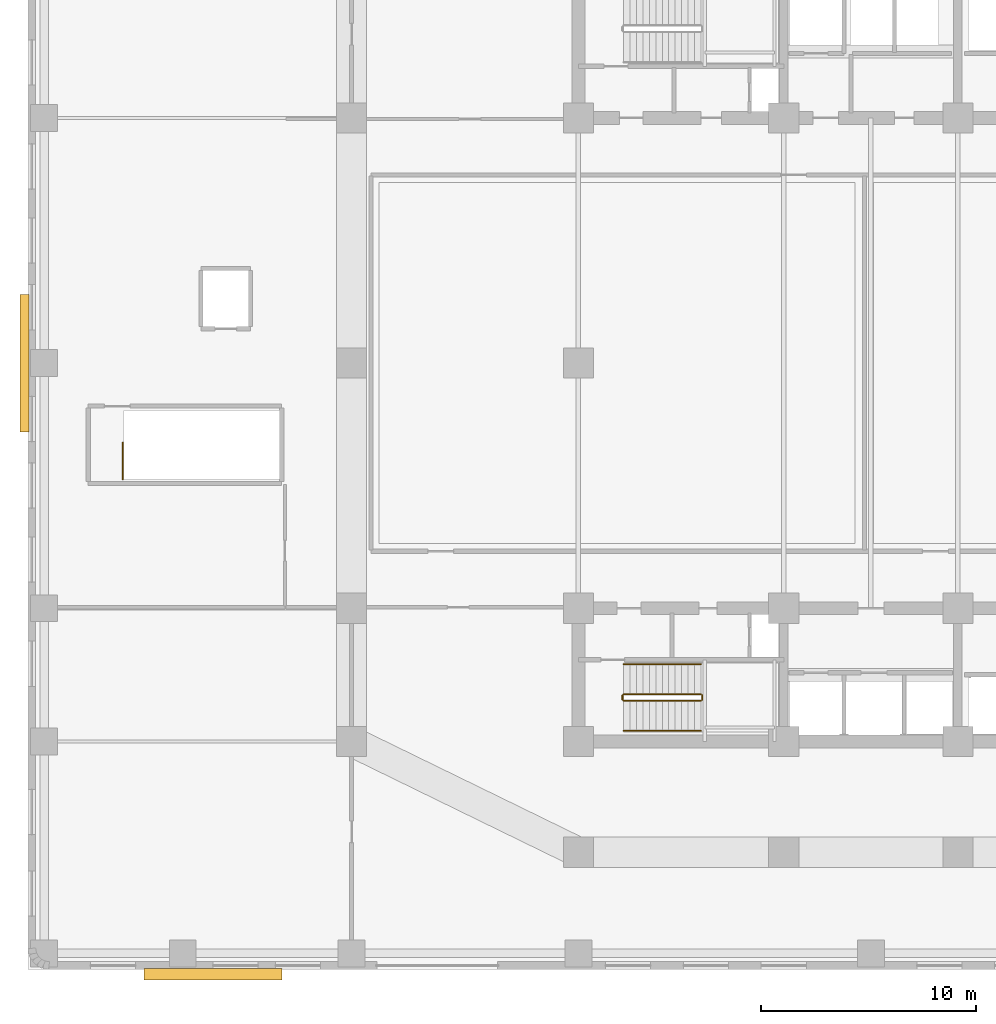
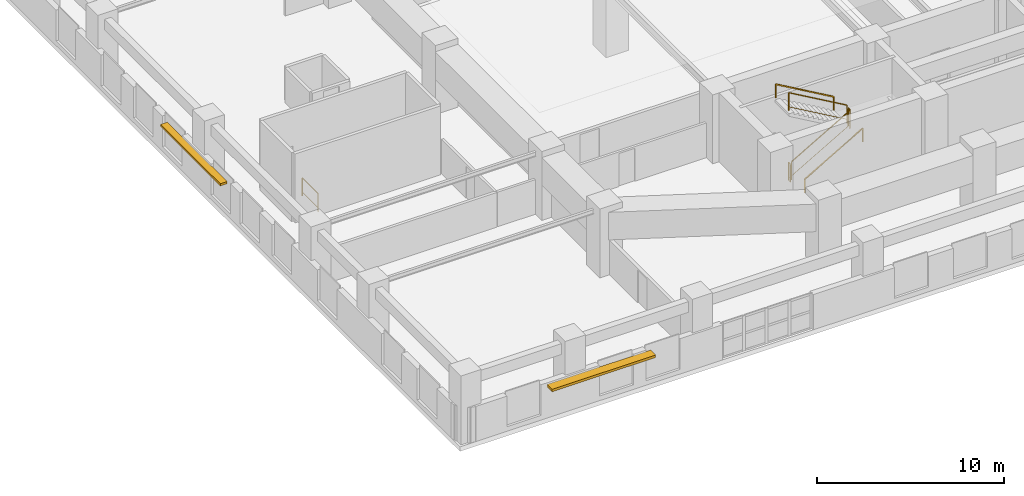
# One storey, part 11 of 13: 7 railings, 2 shading devices.
"""IFC4 building model written with IfcOpenShell, lengths in metres."""

from ifc_helpers import new_model, si_unit, direction, frame, origin, origin_2d, place, context, subcontext, project, spatial, rectangle, extrude, material, layer, layer_set, type_object, element, save


model = new_model("IFC4")

# Units and contexts
model_context = context("Model", 3, precision=1e-05, world=origin(), true_north=direction((0.0, 1.0)))
body_context = subcontext(model_context, "Body", "Model", "MODEL_VIEW")
ifc_project = project(units=[si_unit("LENGTHUNIT", "METRE"), si_unit("AREAUNIT", "SQUARE_METRE"), si_unit("VOLUMEUNIT", "CUBIC_METRE"), si_unit("PLANEANGLEUNIT", "RADIAN"), si_unit("MASSUNIT", "GRAM", prefix="KILO")], contexts=[model_context])

# Site, building, storey
site_placement = place(None, origin())
site = spatial("IfcSite", under=ifc_project, at=site_placement, CompositionType="ELEMENT")
building_placement = place(site_placement, origin())
building = spatial("IfcBuilding", under=site, at=building_placement, Name="Svetorya Sky Lyceum", CompositionType="ELEMENT")
storey_placement = place(building_placement, frame((0.0, 0.0, 20.10009765625)))
storey = spatial("IfcBuildingStorey", under=building, at=storey_placement, Name="L04", CompositionType="ELEMENT", Elevation=20.10009765625)

# Railings
ifc_material_1 = material(Name="Painted galvanized stair well guard")
railing_type_1 = type_object("IfcRailingType", Name="RL-STR-GUARD-1200", PredefinedType="GUARDRAIL", material=ifc_material_1)
railing_1_placement = place(storey_placement, frame((27.699951171875, 12.5, 0.173095703125)))
element("IfcRailing", 1, at=railing_1_placement, inside=storey, type_object=railing_type_1, Name="L04 ST-S stair guard 1", PredefinedType="GUARDRAIL", context=body_context, shape_type="SweptSolid", body=[
    extrude(rectangle(XDim=0.048095703125, YDim=0.048095703125, at=origin_2d()), frame((0.0, 0.0, 1.17578125), z_axis=(0.866193409371, 0.0, 0.499708892819), x_axis=(0.0, 1.0, 0.0)), (0.0, 0.0, 1.0), 4.15625),
    extrude(rectangle(XDim=0.02392578125, YDim=0.02392578125, at=origin_2d()), frame((0.0, 0.0, 0.25), z_axis=(0.866193409371, 0.0, 0.499708892819), x_axis=(0.0, 1.0, 0.0)), (0.0, 0.0, 1.0), 4.15625),
    extrude(rectangle(XDim=0.0419921875, YDim=0.0419921875, at=origin_2d()), origin(), (0.0, 0.0, 1.0), 1.15185546875),
    extrude(rectangle(XDim=0.0419921875, YDim=0.0419921875, at=origin_2d()), frame((3.60009765625, 0.0, 2.076904296875)), (0.0, 0.0, 1.0), 1.15185546875),
])
railing_2_placement = place(storey_placement, frame((31.35009765625, 12.550048828125, 2.25)))
element("IfcRailing", 2, at=railing_2_placement, inside=storey, type_object=railing_type_1, Name="L04 ST-S stair guard 2", PredefinedType="GUARDRAIL", context=body_context, shape_type="SweptSolid", body=[
    extrude(rectangle(XDim=0.048095703125, YDim=0.048095703125, at=origin_2d()), frame((0.0, 0.0, 1.17578125), z_axis=(0.0, 1.0, 0.0), x_axis=(-1.0, 0.0, 0.0)), (0.0, 0.0, 1.0), 0.199951171875),
    extrude(rectangle(XDim=0.02392578125, YDim=0.02392578125, at=origin_2d()), frame((0.0, 0.0, 0.25), z_axis=(0.0, 1.0, 0.0), x_axis=(-1.0, 0.0, 0.0)), (0.0, 0.0, 1.0), 0.199951171875),
    extrude(rectangle(XDim=0.0419921875, YDim=0.0419921875, at=origin_2d()), origin(), (0.0, 0.0, 1.0), 1.15185546875),
    extrude(rectangle(XDim=0.0419921875, YDim=0.0419921875, at=origin_2d()), frame((0.0, 0.199951171875, 0.0)), (0.0, 0.0, 1.0), 1.15185546875),
])
railing_3_placement = place(storey_placement, frame((31.300048828125, 12.800048828125, 2.423095703125)))
element("IfcRailing", 3, at=railing_3_placement, inside=storey, type_object=railing_type_1, Name="L04 ST-S stair guard 3", PredefinedType="GUARDRAIL", context=body_context, shape_type="SweptSolid", body=[
    extrude(rectangle(XDim=0.048095703125, YDim=0.048095703125, at=origin_2d()), frame((0.0, 0.0, 1.17578125), z_axis=(-0.866193409371, 0.0, 0.499708892819), x_axis=(0.0, -1.0, 0.0)), (0.0, 0.0, 1.0), 4.15625),
    extrude(rectangle(XDim=0.02392578125, YDim=0.02392578125, at=origin_2d()), frame((0.0, 0.0, 0.25), z_axis=(-0.866193409371, 0.0, 0.499708892819), x_axis=(0.0, -1.0, 0.0)), (0.0, 0.0, 1.0), 4.15625),
    extrude(rectangle(XDim=0.0419921875, YDim=0.0419921875, at=origin_2d()), origin(), (0.0, 0.0, 1.0), 1.15185546875),
    extrude(rectangle(XDim=0.0419921875, YDim=0.0419921875, at=origin_2d()), frame((-3.60009765625, 0.0, 2.076904296875)), (0.0, 0.0, 1.0), 1.15185546875),
])
railing_4_placement = place(storey_placement, frame((27.64990234375, 12.550048828125, 0.0)))
element("IfcRailing", 4, at=railing_4_placement, inside=storey, type_object=railing_type_1, Name="L04 ST-S stair guard 4", PredefinedType="GUARDRAIL", context=body_context, shape_type="SweptSolid", body=[
    extrude(rectangle(XDim=0.048095703125, YDim=0.048095703125, at=origin_2d()), frame((0.0, 0.0, 1.17578125), z_axis=(0.0, 1.0, 0.0), x_axis=(-1.0, 0.0, 0.0)), (0.0, 0.0, 1.0), 0.199951171875),
    extrude(rectangle(XDim=0.02392578125, YDim=0.02392578125, at=origin_2d()), frame((0.0, 0.0, 0.25), z_axis=(0.0, 1.0, 0.0), x_axis=(-1.0, 0.0, 0.0)), (0.0, 0.0, 1.0), 0.199951171875),
    extrude(rectangle(XDim=0.0419921875, YDim=0.0419921875, at=origin_2d()), origin(), (0.0, 0.0, 1.0), 1.15185546875),
    extrude(rectangle(XDim=0.0419921875, YDim=0.0419921875, at=origin_2d()), frame((0.0, 0.199951171875, 0.0)), (0.0, 0.0, 1.0), 1.15185546875),
])
railing_5_placement = place(storey_placement, frame((4.39990234375, 22.800048828125, 0.0)))
element("IfcRailing", 5, at=railing_5_placement, inside=storey, type_object=railing_type_1, Name="L04 ST-SCH-W top well guard 1", PredefinedType="GUARDRAIL", context=body_context, shape_type="SweptSolid", body=[
    extrude(rectangle(XDim=0.048095703125, YDim=0.048095703125, at=origin_2d()), frame((0.0, 0.0, 1.17578125), z_axis=(0.0, 1.0, 0.0), x_axis=(-1.0, 0.0, 0.0)), (0.0, 0.0, 1.0), 1.699951171875),
    extrude(rectangle(XDim=0.02392578125, YDim=0.02392578125, at=origin_2d()), frame((0.0, 0.0, 0.25), z_axis=(0.0, 1.0, 0.0), x_axis=(-1.0, 0.0, 0.0)), (0.0, 0.0, 1.0), 1.699951171875),
    extrude(rectangle(XDim=0.0419921875, YDim=0.0419921875, at=origin_2d()), origin(), (0.0, 0.0, 1.0), 1.15185546875),
    extrude(rectangle(XDim=0.0419921875, YDim=0.0419921875, at=origin_2d()), frame((0.0, 1.699951171875, 0.0)), (0.0, 0.0, 1.0), 1.15185546875),
])
ifc_material_2 = material(Name="Brushed stainless AISI 304 stair handrail")
railing_type_2 = type_object("IfcRailingType", Name="RL-STR-HAND-920", PredefinedType="HANDRAIL", material=ifc_material_2)
railing_6_placement = place(storey_placement, frame((27.699951171875, 11.10009765625, 0.173095703125)))
element("IfcRailing", 6, at=railing_6_placement, inside=storey, type_object=railing_type_2, Name="L04 ST-S stair handrail 1", PredefinedType="HANDRAIL", context=body_context, shape_type="SweptSolid", body=[
    extrude(rectangle(XDim=0.048095703125, YDim=0.048095703125, at=origin_2d()), frame((0.0, 0.0, 0.8759765625), z_axis=(0.866193409371, 0.0, 0.499708892819), x_axis=(0.0, 1.0, 0.0)), (0.0, 0.0, 1.0), 4.15625),
    extrude(rectangle(XDim=0.0419921875, YDim=0.0419921875, at=origin_2d()), origin(), (0.0, 0.0, 1.0), 0.851806640625),
    extrude(rectangle(XDim=0.0419921875, YDim=0.0419921875, at=origin_2d()), frame((3.60009765625, 0.0, 2.076904296875)), (0.0, 0.0, 1.0), 0.851806640625),
])
railing_7_placement = place(storey_placement, frame((31.300048828125, 14.199951171875, 2.423095703125)))
element("IfcRailing", 7, at=railing_7_placement, inside=storey, type_object=railing_type_2, Name="L04 ST-S stair handrail 2", PredefinedType="HANDRAIL", context=body_context, shape_type="SweptSolid", body=[
    extrude(rectangle(XDim=0.048095703125, YDim=0.048095703125, at=origin_2d()), frame((0.0, 0.0, 0.8759765625), z_axis=(-0.866193409371, 0.0, 0.499708892819), x_axis=(0.0, -1.0, 0.0)), (0.0, 0.0, 1.0), 4.15625),
    extrude(rectangle(XDim=0.0419921875, YDim=0.0419921875, at=origin_2d()), origin(), (0.0, 0.0, 1.0), 0.851806640625),
    extrude(rectangle(XDim=0.0419921875, YDim=0.0419921875, at=origin_2d()), frame((-3.60009765625, 0.0, 2.076904296875)), (0.0, 0.0, 1.0), 0.851806640625),
])

# Shading devices
ifc_material_3 = material(Name="Champagne-anodized extruded aluminium solar fin", Category="aluminium")
ifc_layer_1 = layer(ifc_material_3, 0.139892578125)
ifc_layer_set_1 = layer_set([ifc_layer_1], Name="Champagne-anodized extruded aluminium solar fin")
shading_device_type_1 = type_object("IfcShadingDeviceType", Name="SHD-FIN-420", PredefinedType="JALOUSIE", material=ifc_layer_set_1)
shading_device_1_placement = place(storey_placement, frame((-0.159912109375, 28.199951171875, 2.009765625), z_axis=(0.0, 0.0, 1.0), x_axis=(1.0, 0.0, 0.0)))
element("IfcShadingDevice", 8, at=shading_device_1_placement, inside=storey, type_object=shading_device_type_1, Name="L04 Solar Brise-Soleil SHD-2.24M", PredefinedType="JALOUSIE", context=body_context, shape_type="SweptSolid", body=[
    extrude(rectangle(XDim=0.419921875, YDim=6.39990234375, at=origin_2d()), origin(), (0.0, 0.0, 1.0), 0.139892578125),
])
ifc_material_4 = material(Name="Champagne-anodized extruded aluminium sunshade", Category="aluminium")
ifc_layer_2 = layer(ifc_material_4, 0.159912109375)
ifc_layer_set_2 = layer_set([ifc_layer_2], Name="Champagne-anodized extruded aluminium sunshade")
shading_device_type_2 = type_object("IfcShadingDeviceType", Name="SHD-LVR-540", PredefinedType="AWNING", material=ifc_layer_set_2)
shading_device_2_placement = place(storey_placement, frame((8.60498046875, -0.219970703125, 2.0), z_axis=(0.0, 0.0, 1.0), x_axis=(1.0, 0.0, 0.0)))
element("IfcShadingDevice", 9, at=shading_device_2_placement, inside=storey, type_object=shading_device_type_2, Name="L04 Solar Brise-Soleil SHD-1.6A", PredefinedType="AWNING", context=body_context, shape_type="SweptSolid", body=[
    extrude(rectangle(XDim=6.39990234375, YDim=0.5400390625, at=origin_2d()), origin(), (0.0, 0.0, 1.0), 0.159912109375),
])

save(model, "model.ifc")
